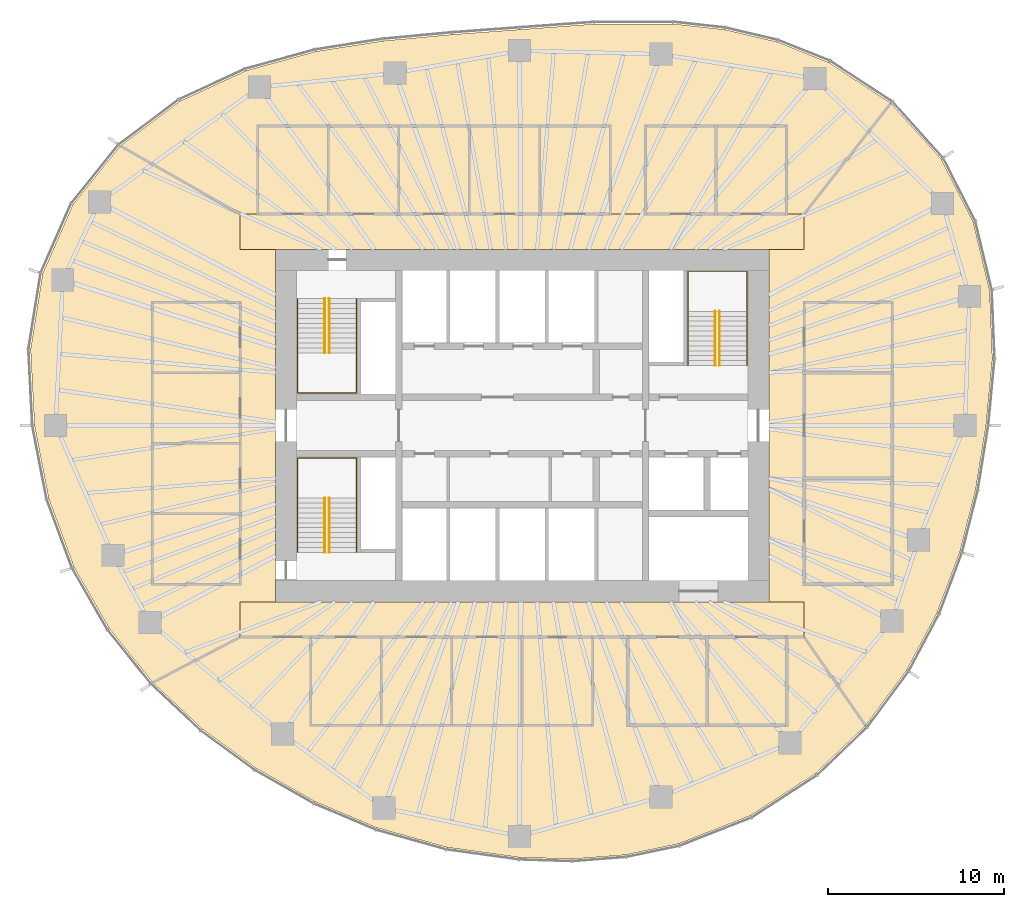
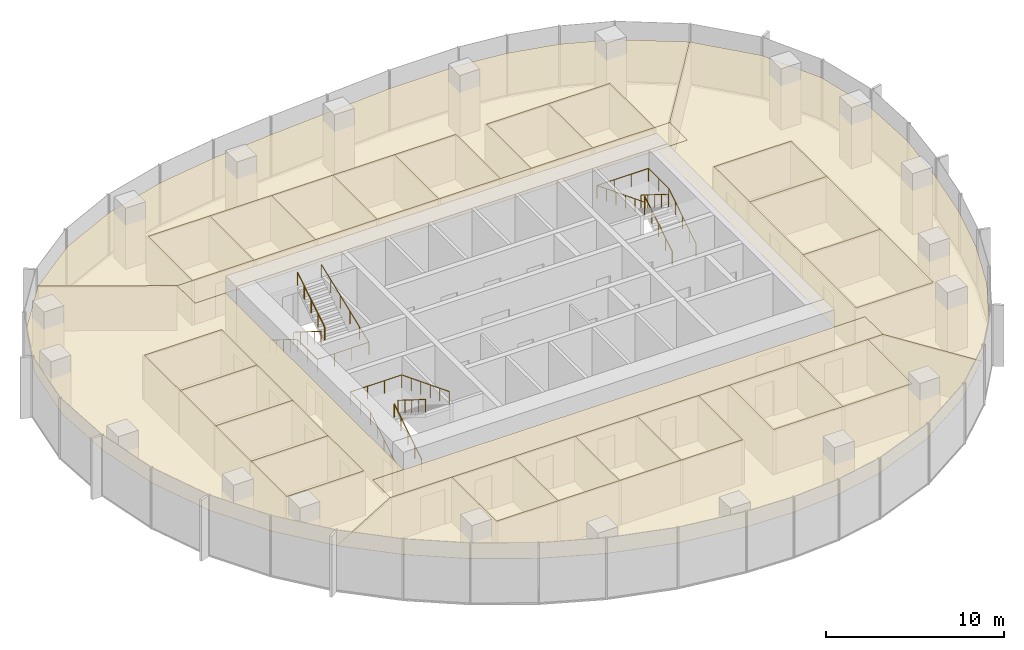
# One storey, part 12 of 12: 26 coverings, 9 railings.
"""IFC4 building model written with IfcOpenShell, lengths in metres."""

from ifc_helpers import new_model, si_unit, direction, frame, origin, origin_2d, place, context, subcontext, project, spatial, polyline, circle, outline, extrude, material, layer, layer_set, type_object, element, save


model = new_model("IFC4")

# Units and contexts
model_context = context("Model", 3, precision=1e-05, world=origin(), true_north=direction((0.0, 1.0)))
body_context = subcontext(model_context, "Body", "Model", "MODEL_VIEW")
ifc_project = project(units=[si_unit("LENGTHUNIT", "METRE"), si_unit("AREAUNIT", "SQUARE_METRE"), si_unit("VOLUMEUNIT", "CUBIC_METRE"), si_unit("PLANEANGLEUNIT", "RADIAN"), si_unit("MASSUNIT", "GRAM", prefix="KILO")], contexts=[model_context])

# Site, building, storey
site_placement = place(None, origin())
site = spatial("IfcSite", under=ifc_project, at=site_placement, CompositionType="ELEMENT")
building_placement = place(site_placement, origin())
building = spatial("IfcBuilding", under=site, at=building_placement, Name="Ghaith Harvest Tower", CompositionType="ELEMENT")
storey_placement = place(building_placement, frame((0.0, 0.0, 207.39990234375)))
storey = spatial("IfcBuildingStorey", under=building, at=storey_placement, Name="L45", CompositionType="ELEMENT", Elevation=207.39990234375)

# Coverings
ifc_material_1 = material(Name="Mineral fibre ceiling tile", Category="gypsum")
ifc_layer = layer(ifc_material_1, 0.02001953125)
ifc_layer_set = layer_set([ifc_layer], Name="CEILING C1")
covering_type = type_object("IfcCoveringType", Name="CEILING C1", PredefinedType="CEILING", material=ifc_layer_set)
covering_1_placement = place(storey_placement, frame((0.0, 0.0, 3.0)))
element("IfcCovering", 1, at=covering_1_placement, inside=storey, type_object=covering_type, Name="Ceiling L45-01", PredefinedType="CEILING", context=body_context, shape_type="SweptSolid", body=[
    extrude(outline(polyline([(-15.0, 12.0), (-11.0, 12.0), (-11.0, 17.0), (-15.0, 17.0), (-15.0, 12.0)])), origin(), (0.0, 0.0, 1.0), 0.02001953125),
])
covering_2_placement = place(storey_placement, frame((0.0, 0.0, 3.0)))
element("IfcCovering", 2, at=covering_2_placement, inside=storey, type_object=covering_type, Name="Ceiling L45-02", PredefinedType="CEILING", context=body_context, shape_type="SweptSolid", body=[
    extrude(outline(polyline([(-11.0, 12.0), (-7.0, 12.0), (-7.0, 17.0), (-11.0, 17.0), (-11.0, 12.0)])), origin(), (0.0, 0.0, 1.0), 0.02001953125),
])
covering_3_placement = place(storey_placement, frame((0.0, 0.0, 3.0)))
element("IfcCovering", 3, at=covering_3_placement, inside=storey, type_object=covering_type, Name="Ceiling L45-03", PredefinedType="CEILING", context=body_context, shape_type="SweptSolid", body=[
    extrude(outline(polyline([(-7.0, 12.0), (-3.0, 12.0), (-3.0, 17.0), (-7.0, 17.0), (-7.0, 12.0)])), origin(), (0.0, 0.0, 1.0), 0.02001953125),
])
covering_4_placement = place(storey_placement, frame((0.0, 0.0, 3.0)))
element("IfcCovering", 4, at=covering_4_placement, inside=storey, type_object=covering_type, Name="Ceiling L45-04", PredefinedType="CEILING", context=body_context, shape_type="SweptSolid", body=[
    extrude(outline(polyline([(-3.0, 12.0), (1.0, 12.0), (1.0, 17.0), (-3.0, 17.0), (-3.0, 12.0)])), origin(), (0.0, 0.0, 1.0), 0.02001953125),
])
covering_5_placement = place(storey_placement, frame((0.0, 0.0, 3.0)))
element("IfcCovering", 5, at=covering_5_placement, inside=storey, type_object=covering_type, Name="Ceiling L45-05", PredefinedType="CEILING", context=body_context, shape_type="SweptSolid", body=[
    extrude(outline(polyline([(1.0, 12.0), (5.0, 12.0), (5.0, 17.0), (1.0, 17.0), (1.0, 12.0)])), origin(), (0.0, 0.0, 1.0), 0.02001953125),
])
covering_6_placement = place(storey_placement, frame((0.0, 0.0, 3.0)))
element("IfcCovering", 6, at=covering_6_placement, inside=storey, type_object=covering_type, Name="Ceiling L45-06", PredefinedType="CEILING", context=body_context, shape_type="SweptSolid", body=[
    extrude(outline(polyline([(7.0, 12.0), (11.0, 12.0), (11.0, 17.0), (7.0, 17.0), (7.0, 12.0)])), origin(), (0.0, 0.0, 1.0), 0.02001953125),
])
covering_7_placement = place(storey_placement, frame((0.0, 0.0, 3.0)))
element("IfcCovering", 7, at=covering_7_placement, inside=storey, type_object=covering_type, Name="Ceiling L45-07", PredefinedType="CEILING", context=body_context, shape_type="SweptSolid", body=[
    extrude(outline(polyline([(11.0, 12.0), (15.0, 12.0), (15.0, 17.0), (11.0, 17.0), (11.0, 12.0)])), origin(), (0.0, 0.0, 1.0), 0.02001953125),
])
covering_8_placement = place(storey_placement, frame((0.0, 0.0, 3.0)))
element("IfcCovering", 8, at=covering_8_placement, inside=storey, type_object=covering_type, Name="Ceiling L45-08", PredefinedType="CEILING", context=body_context, shape_type="SweptSolid", body=[
    extrude(outline(polyline([(16.0, -9.0), (21.0, -9.0), (21.0, -3.0), (16.0, -3.0), (16.0, -9.0)])), origin(), (0.0, 0.0, 1.0), 0.02001953125),
])
covering_9_placement = place(storey_placement, frame((0.0, 0.0, 3.0)))
element("IfcCovering", 9, at=covering_9_placement, inside=storey, type_object=covering_type, Name="Ceiling L45-09", PredefinedType="CEILING", context=body_context, shape_type="SweptSolid", body=[
    extrude(outline(polyline([(16.0, -3.0), (21.0, -3.0), (21.0, 3.0), (16.0, 3.0), (16.0, -3.0)])), origin(), (0.0, 0.0, 1.0), 0.02001953125),
])
covering_10_placement = place(storey_placement, frame((0.0, 0.0, 3.0)))
element("IfcCovering", 10, at=covering_10_placement, inside=storey, type_object=covering_type, Name="Ceiling L45-10", PredefinedType="CEILING", context=body_context, shape_type="SweptSolid", body=[
    extrude(outline(polyline([(16.0, 3.0), (21.0, 3.0), (21.0, 7.0), (16.0, 7.0), (16.0, 3.0)])), origin(), (0.0, 0.0, 1.0), 0.02001953125),
])
covering_11_placement = place(storey_placement, frame((0.0, 0.0, 3.0)))
element("IfcCovering", 11, at=covering_11_placement, inside=storey, type_object=covering_type, Name="Ceiling L45-11", PredefinedType="CEILING", context=body_context, shape_type="SweptSolid", body=[
    extrude(outline(polyline([(-12.0, -17.0), (-8.0, -17.0), (-8.0, -12.0), (-12.0, -12.0), (-12.0, -17.0)])), origin(), (0.0, 0.0, 1.0), 0.02001953125),
])
covering_12_placement = place(storey_placement, frame((0.0, 0.0, 3.0)))
element("IfcCovering", 12, at=covering_12_placement, inside=storey, type_object=covering_type, Name="Ceiling L45-12", PredefinedType="CEILING", context=body_context, shape_type="SweptSolid", body=[
    extrude(outline(polyline([(-8.0, -17.0), (-4.0, -17.0), (-4.0, -12.0), (-8.0, -12.0), (-8.0, -17.0)])), origin(), (0.0, 0.0, 1.0), 0.02001953125),
])
covering_13_placement = place(storey_placement, frame((0.0, 0.0, 3.0)))
element("IfcCovering", 13, at=covering_13_placement, inside=storey, type_object=covering_type, Name="Ceiling L45-13", PredefinedType="CEILING", context=body_context, shape_type="SweptSolid", body=[
    extrude(outline(polyline([(-4.0, -17.0), (0.0, -17.0), (0.0, -12.0), (-4.0, -12.0), (-4.0, -17.0)])), origin(), (0.0, 0.0, 1.0), 0.02001953125),
])
covering_14_placement = place(storey_placement, frame((0.0, 0.0, 3.0)))
element("IfcCovering", 14, at=covering_14_placement, inside=storey, type_object=covering_type, Name="Ceiling L45-14", PredefinedType="CEILING", context=body_context, shape_type="SweptSolid", body=[
    extrude(outline(polyline([(0.0, -17.0), (4.0, -17.0), (4.0, -12.0), (0.0, -12.0), (0.0, -17.0)])), origin(), (0.0, 0.0, 1.0), 0.02001953125),
])
covering_15_placement = place(storey_placement, frame((0.0, 0.0, 3.0)))
element("IfcCovering", 15, at=covering_15_placement, inside=storey, type_object=covering_type, Name="Ceiling L45-15", PredefinedType="CEILING", context=body_context, shape_type="SweptSolid", body=[
    extrude(outline(polyline([(6.0, -17.0), (10.5, -17.0), (10.5, -12.0), (6.0, -12.0), (6.0, -17.0)])), origin(), (0.0, 0.0, 1.0), 0.02001953125),
])
covering_16_placement = place(storey_placement, frame((0.0, 0.0, 3.0)))
element("IfcCovering", 16, at=covering_16_placement, inside=storey, type_object=covering_type, Name="Ceiling L45-16", PredefinedType="CEILING", context=body_context, shape_type="SweptSolid", body=[
    extrude(outline(polyline([(10.5, -17.0), (15.0, -17.0), (15.0, -12.0), (10.5, -12.0), (10.5, -17.0)])), origin(), (0.0, 0.0, 1.0), 0.02001953125),
])
covering_17_placement = place(storey_placement, frame((0.0, 0.0, 3.0)))
element("IfcCovering", 17, at=covering_17_placement, inside=storey, type_object=covering_type, Name="Ceiling L45-17", PredefinedType="CEILING", context=body_context, shape_type="SweptSolid", body=[
    extrude(outline(polyline([(-21.0, -9.0), (-16.0, -9.0), (-16.0, -5.0), (-21.0, -5.0), (-21.0, -9.0)])), origin(), (0.0, 0.0, 1.0), 0.02001953125),
])
covering_18_placement = place(storey_placement, frame((0.0, 0.0, 3.0)))
element("IfcCovering", 18, at=covering_18_placement, inside=storey, type_object=covering_type, Name="Ceiling L45-18", PredefinedType="CEILING", context=body_context, shape_type="SweptSolid", body=[
    extrude(outline(polyline([(-21.0, -5.0), (-16.0, -5.0), (-16.0, -1.0), (-21.0, -1.0), (-21.0, -5.0)])), origin(), (0.0, 0.0, 1.0), 0.02001953125),
])
covering_19_placement = place(storey_placement, frame((0.0, 0.0, 3.0)))
element("IfcCovering", 19, at=covering_19_placement, inside=storey, type_object=covering_type, Name="Ceiling L45-19", PredefinedType="CEILING", context=body_context, shape_type="SweptSolid", body=[
    extrude(outline(polyline([(-21.0, -1.0), (-16.0, -1.0), (-16.0, 3.0), (-21.0, 3.0), (-21.0, -1.0)])), origin(), (0.0, 0.0, 1.0), 0.02001953125),
])
covering_20_placement = place(storey_placement, frame((0.0, 0.0, 3.0)))
element("IfcCovering", 20, at=covering_20_placement, inside=storey, type_object=covering_type, Name="Ceiling L45-20", PredefinedType="CEILING", context=body_context, shape_type="SweptSolid", body=[
    extrude(outline(polyline([(-21.0, 3.0), (-16.0, 3.0), (-16.0, 7.0), (-21.0, 7.0), (-21.0, 3.0)])), origin(), (0.0, 0.0, 1.0), 0.02001953125),
])
covering_21_placement = place(storey_placement, frame((0.0, 0.0, 3.0)))
element("IfcCovering", 21, at=covering_21_placement, inside=storey, type_object=covering_type, Name="Ceiling L45-C1", PredefinedType="CEILING", context=body_context, shape_type="SweptSolid", body=[
    extrude(outline(polyline([(16.0, 10.0), (-16.0, 10.0), (-16.0, 12.0), (16.0, 12.0), (16.0, 10.0)])), origin(), (0.0, 0.0, 1.0), 0.02001953125),
])
covering_22_placement = place(storey_placement, frame((0.0, 0.0, 3.0)))
element("IfcCovering", 22, at=covering_22_placement, inside=storey, type_object=covering_type, Name="Ceiling L45-C2", PredefinedType="CEILING", context=body_context, shape_type="SweptSolid", body=[
    extrude(outline(polyline([(-16.0, -10.0), (16.0, -10.0), (16.0, -12.0), (-16.0, -12.0), (-16.0, -10.0)])), origin(), (0.0, 0.0, 1.0), 0.02001953125),
])
covering_23_placement = place(storey_placement, frame((0.0, 0.0, 3.0)))
element("IfcCovering", 23, at=covering_23_placement, inside=storey, type_object=covering_type, Name="Ceiling L45-N1", PredefinedType="CEILING", context=body_context, shape_type="SweptSolid", body=[
    extrude(outline(polyline([(-19.408203125, 18.41650390625), (-15.6474609375, 20.147705078125), (-11.694580078125, 21.2314453125), (-7.8837890625, 21.827880859375), (-3.963134765625, 22.192138671875), (-0.15380859375, 22.470458984375), (4.03857421875, 22.78125), (8.522216796875, 22.796875), (11.47265625, 22.47265625), (14.460693359375, 21.771484375), (17.382080078125, 20.612548828125), (20.923095703125, 18.295166015625), (16.0, 12.0), (15.0, 12.0), (15.0, 17.0), (7.0, 17.0), (7.0, 12.0), (5.0, 12.0), (5.0, 17.0), (-15.0, 17.0), (-15.0, 12.0), (-16.0, 12.0), (-22.809814453125, 15.87109375), (-19.408203125, 18.41650390625)])), origin(), (0.0, 0.0, 1.0), 0.02001953125),
])
covering_24_placement = place(storey_placement, frame((0.0, 0.0, 3.0)))
element("IfcCovering", 24, at=covering_24_placement, inside=storey, type_object=covering_type, Name="Ceiling L45-E1", PredefinedType="CEILING", context=body_context, shape_type="SweptSolid", body=[
    extrude(outline(polyline([(23.77294921875, 15.12939453125), (25.597900390625, 11.55615234375), (26.531005859375, 7.668212890625), (26.685791015625, 3.779052734375), (26.324951171875, 0.0), (25.734375, -3.644287109375), (24.840576171875, -7.179443359375), (23.548828125, -10.631103515625), (21.821533203125, -13.887451171875), (19.48388671875, -17.036865234375), (16.0, -12.0), (16.0, -10.0), (14.0, -10.0), (14.0, 10.0), (16.0, 10.0), (16.0, 12.0), (20.923095703125, 18.295166015625), (23.77294921875, 15.12939453125)]), holes=[polyline([(16.0, 7.0), (16.0, -9.0), (21.0, -9.0), (21.0, 7.0), (16.0, 7.0)])]), origin(), (0.0, 0.0, 1.0), 0.02001953125),
])
covering_25_placement = place(storey_placement, frame((0.0, 0.0, 3.0)))
element("IfcCovering", 25, at=covering_25_placement, inside=storey, type_object=covering_type, Name="Ceiling L45-S1", PredefinedType="CEILING", context=body_context, shape_type="SweptSolid", body=[
    extrude(outline(polyline([(16.651611328125, -19.746337890625), (12.949462890625, -22.1435546875), (8.8740234375, -23.73779296875), (5.865234375, -24.3662109375), (2.833984375, -24.602294921875), (-0.167724609375, -24.505126953125), (-4.27490234375, -23.9375), (-8.2451171875, -22.82861328125), (-11.75732421875, -21.345703125), (-15.10400390625, -19.447998046875), (-18.15087890625, -17.223388671875), (-20.963134765625, -14.586181640625), (-16.0, -12.0), (-12.0, -12.0), (-12.0, -17.0), (4.0, -17.0), (4.0, -12.0), (6.0, -12.0), (6.0, -17.0), (15.0, -17.0), (15.0, -12.0), (16.0, -12.0), (19.48388671875, -17.036865234375), (16.651611328125, -19.746337890625)])), origin(), (0.0, 0.0, 1.0), 0.02001953125),
])
covering_26_placement = place(storey_placement, frame((0.0, 0.0, 3.0)))
element("IfcCovering", 26, at=covering_26_placement, inside=storey, type_object=covering_type, Name="Ceiling L45-W1", PredefinedType="CEILING", context=body_context, shape_type="SweptSolid", body=[
    extrude(outline(polyline([(-27.211181640625, 8.623779296875), (-25.491943359375, 12.547607421875), (-22.809814453125, 15.87109375), (-16.0, 12.0), (-16.0, 10.0), (-14.0, 10.0), (-14.0, -10.0), (-16.0, -10.0), (-16.0, -12.0), (-20.963134765625, -14.586181640625), (-23.425537109375, -11.530517578125), (-25.424072265625, -8.057373046875), (-26.86669921875, -4.155517578125), (-27.675048828125, 0.0), (-27.897216796875, 4.314697265625), (-27.211181640625, 8.623779296875)]), holes=[polyline([(-21.0, 7.0), (-21.0, -9.0), (-16.0, -9.0), (-16.0, 7.0), (-21.0, 7.0)])]), origin(), (0.0, 0.0, 1.0), 0.02001953125),
])

# Railings
ifc_material_2 = material(Name="Steel, black powder-coated", Category="steel")
railing_type = type_object("IfcRailingType", Name="HANDRAIL HR1", PredefinedType="HANDRAIL", material=ifc_material_2)
railing_1_placement = place(storey_placement, frame((-11.199951171875, 7.199951171875, 0.175048828125)))
element("IfcRailing", 27, at=railing_1_placement, inside=storey, type_object=railing_type, Name="Handrail HR1 stair ST1 L45 flight 1 inner", PredefinedType="HANDRAIL", context=body_context, shape_type="SweptSolid", body=[
    extrude(circle(Radius=0.02392578125, at=origin_2d()), frame((0.0, 0.0, 0.8759765625), z_axis=(0.0, -0.847979421464, 0.530029150871), x_axis=(1.0, 0.0, 0.0)), (0.0, 0.0, 1.0), 3.632080078125),
    extrude(circle(Radius=0.02099609375, at=origin_2d()), origin(), (0.0, 0.0, 1.0), 0.851806640625),
    extrude(circle(Radius=0.02099609375, at=origin_2d()), frame((0.0, -0.77001953125, 0.481201171875)), (0.0, 0.0, 1.0), 0.851806640625),
    extrude(circle(Radius=0.02099609375, at=origin_2d()), frame((0.0, -1.5400390625, 0.96240234375)), (0.0, 0.0, 1.0), 0.851806640625),
    extrude(circle(Radius=0.02099609375, at=origin_2d()), frame((0.0, -2.309814453125, 1.44384765625)), (0.0, 0.0, 1.0), 0.851806640625),
    extrude(circle(Radius=0.02099609375, at=origin_2d()), frame((0.0, -3.079833984375, 1.925048828125)), (0.0, 0.0, 1.0), 0.851806640625),
])
railing_2_placement = place(storey_placement, frame((-10.949951171875, 4.1201171875, 2.275146484375)))
element("IfcRailing", 28, at=railing_2_placement, inside=storey, type_object=railing_type, Name="Handrail HR1 stair ST1 L45 flight 2 inner", PredefinedType="HANDRAIL", context=body_context, shape_type="SweptSolid", body=[
    extrude(circle(Radius=0.02392578125, at=origin_2d()), frame((0.0, 0.0, 0.8759765625), z_axis=(0.0, 0.847979421464, 0.530029150871), x_axis=(-1.0, 0.0, 0.0)), (0.0, 0.0, 1.0), 3.632080078125),
    extrude(circle(Radius=0.02099609375, at=origin_2d()), origin(), (0.0, 0.0, 1.0), 0.851806640625),
    extrude(circle(Radius=0.02099609375, at=origin_2d()), frame((0.0, 0.77001953125, 0.481201171875)), (0.0, 0.0, 1.0), 0.851806640625),
    extrude(circle(Radius=0.02099609375, at=origin_2d()), frame((0.0, 1.5400390625, 0.96240234375)), (0.0, 0.0, 1.0), 0.851806640625),
    extrude(circle(Radius=0.02099609375, at=origin_2d()), frame((0.0, 2.309814453125, 1.44384765625)), (0.0, 0.0, 1.0), 0.851806640625),
    extrude(circle(Radius=0.02099609375, at=origin_2d()), frame((0.0, 3.079833984375, 1.925048828125)), (0.0, 0.0, 1.0), 0.851806640625),
])
railing_3_placement = place(storey_placement, frame((-12.75, 7.199951171875, 0.175048828125)))
element("IfcRailing", 29, at=railing_3_placement, inside=storey, type_object=railing_type, Name="Handrail HR1 stair ST1 L45 wall side", PredefinedType="HANDRAIL", context=body_context, shape_type="SweptSolid", body=[
    extrude(circle(Radius=0.02392578125, at=origin_2d()), frame((0.0, 0.0, 0.8759765625), z_axis=(0.0, -0.847979421464, 0.530029150871), x_axis=(1.0, 0.0, 0.0)), (0.0, 0.0, 1.0), 3.632080078125),
    extrude(circle(Radius=0.02392578125, at=origin_2d()), frame((0.0, -3.079833984375, 2.80078125), z_axis=(0.0, -1.0, 0.0), x_axis=(1.0, 0.0, 0.0)), (0.0, 0.0, 1.0), 2.27001953125),
    extrude(circle(Radius=0.02392578125, at=origin_2d()), frame((0.0, -5.349853515625, 2.80078125), z_axis=(1.0, 0.0, 0.0), x_axis=(0.0, 1.0, 0.0)), (0.0, 0.0, 1.0), 3.35009765625),
    extrude(circle(Radius=0.02392578125, at=origin_2d()), frame((3.35009765625, -5.349853515625, 2.80078125), z_axis=(0.0, 0.930848013298, 0.36540659017), x_axis=(-1.0, 0.0, 0.0)), (0.0, 0.0, 1.0), 5.747314453125),
    extrude(circle(Radius=0.02099609375, at=origin_2d()), origin(), (0.0, 0.0, 1.0), 0.851806640625),
    extrude(circle(Radius=0.02099609375, at=origin_2d()), frame((0.0, -0.77001953125, 0.481201171875)), (0.0, 0.0, 1.0), 0.851806640625),
    extrude(circle(Radius=0.02099609375, at=origin_2d()), frame((0.0, -1.5400390625, 0.96240234375)), (0.0, 0.0, 1.0), 0.851806640625),
    extrude(circle(Radius=0.02099609375, at=origin_2d()), frame((0.0, -2.309814453125, 1.44384765625)), (0.0, 0.0, 1.0), 0.851806640625),
    extrude(circle(Radius=0.02099609375, at=origin_2d()), frame((0.0, -3.079833984375, 1.925048828125)), (0.0, 0.0, 1.0), 0.851806640625),
    extrude(circle(Radius=0.02099609375, at=origin_2d()), frame((0.0, -4.21484375, 1.925048828125)), (0.0, 0.0, 1.0), 0.851806640625),
    extrude(circle(Radius=0.02099609375, at=origin_2d()), frame((0.0, -5.349853515625, 1.925048828125)), (0.0, 0.0, 1.0), 0.851806640625),
    extrude(circle(Radius=0.02099609375, at=origin_2d()), frame((1.11669921875, -5.349853515625, 1.925048828125)), (0.0, 0.0, 1.0), 0.851806640625),
    extrude(circle(Radius=0.02099609375, at=origin_2d()), frame((2.2333984375, -5.349853515625, 1.925048828125)), (0.0, 0.0, 1.0), 0.851806640625),
    extrude(circle(Radius=0.02099609375, at=origin_2d()), frame((3.35009765625, -5.349853515625, 1.925048828125)), (0.0, 0.0, 1.0), 0.851806640625),
    extrude(circle(Radius=0.02099609375, at=origin_2d()), frame((3.35009765625, -4.27978515625, 2.344970703125)), (0.0, 0.0, 1.0), 0.851806640625),
    extrude(circle(Radius=0.02099609375, at=origin_2d()), frame((3.35009765625, -3.2099609375, 2.76513671875)), (0.0, 0.0, 1.0), 0.851806640625),
    extrude(circle(Radius=0.02099609375, at=origin_2d()), frame((3.35009765625, -2.139892578125, 3.18505859375)), (0.0, 0.0, 1.0), 0.851806640625),
    extrude(circle(Radius=0.02099609375, at=origin_2d()), frame((3.35009765625, -1.070068359375, 3.605224609375)), (0.0, 0.0, 1.0), 0.851806640625),
    extrude(circle(Radius=0.02099609375, at=origin_2d()), frame((3.35009765625, 0.0, 4.025146484375)), (0.0, 0.0, 1.0), 0.851806640625),
])
railing_4_placement = place(storey_placement, frame((-11.199951171875, -7.199951171875, 0.175048828125)))
element("IfcRailing", 30, at=railing_4_placement, inside=storey, type_object=railing_type, Name="Handrail HR1 stair ST3 L45 flight 1 inner", PredefinedType="HANDRAIL", context=body_context, shape_type="SweptSolid", body=[
    extrude(circle(Radius=0.02392578125, at=origin_2d()), frame((0.0, 0.0, 0.8759765625), z_axis=(0.0, 0.847979421464, 0.530029150871), x_axis=(-1.0, 0.0, 0.0)), (0.0, 0.0, 1.0), 3.632080078125),
    extrude(circle(Radius=0.02099609375, at=origin_2d()), origin(), (0.0, 0.0, 1.0), 0.851806640625),
    extrude(circle(Radius=0.02099609375, at=origin_2d()), frame((0.0, 0.77001953125, 0.481201171875)), (0.0, 0.0, 1.0), 0.851806640625),
    extrude(circle(Radius=0.02099609375, at=origin_2d()), frame((0.0, 1.5400390625, 0.96240234375)), (0.0, 0.0, 1.0), 0.851806640625),
    extrude(circle(Radius=0.02099609375, at=origin_2d()), frame((0.0, 2.309814453125, 1.44384765625)), (0.0, 0.0, 1.0), 0.851806640625),
    extrude(circle(Radius=0.02099609375, at=origin_2d()), frame((0.0, 3.079833984375, 1.925048828125)), (0.0, 0.0, 1.0), 0.851806640625),
])
railing_5_placement = place(storey_placement, frame((-10.949951171875, -4.1201171875, 2.275146484375)))
element("IfcRailing", 31, at=railing_5_placement, inside=storey, type_object=railing_type, Name="Handrail HR1 stair ST3 L45 flight 2 inner", PredefinedType="HANDRAIL", context=body_context, shape_type="SweptSolid", body=[
    extrude(circle(Radius=0.02392578125, at=origin_2d()), frame((0.0, 0.0, 0.8759765625), z_axis=(0.0, -0.847979421464, 0.530029150871), x_axis=(1.0, 0.0, 0.0)), (0.0, 0.0, 1.0), 3.632080078125),
    extrude(circle(Radius=0.02099609375, at=origin_2d()), origin(), (0.0, 0.0, 1.0), 0.851806640625),
    extrude(circle(Radius=0.02099609375, at=origin_2d()), frame((0.0, -0.77001953125, 0.481201171875)), (0.0, 0.0, 1.0), 0.851806640625),
    extrude(circle(Radius=0.02099609375, at=origin_2d()), frame((0.0, -1.5400390625, 0.96240234375)), (0.0, 0.0, 1.0), 0.851806640625),
    extrude(circle(Radius=0.02099609375, at=origin_2d()), frame((0.0, -2.309814453125, 1.44384765625)), (0.0, 0.0, 1.0), 0.851806640625),
    extrude(circle(Radius=0.02099609375, at=origin_2d()), frame((0.0, -3.079833984375, 1.925048828125)), (0.0, 0.0, 1.0), 0.851806640625),
])
railing_6_placement = place(storey_placement, frame((-12.75, -7.199951171875, 0.175048828125)))
element("IfcRailing", 32, at=railing_6_placement, inside=storey, type_object=railing_type, Name="Handrail HR1 stair ST3 L45 wall side", PredefinedType="HANDRAIL", context=body_context, shape_type="SweptSolid", body=[
    extrude(circle(Radius=0.02392578125, at=origin_2d()), frame((0.0, 0.0, 0.8759765625), z_axis=(0.0, 0.847979421464, 0.530029150871), x_axis=(-1.0, 0.0, 0.0)), (0.0, 0.0, 1.0), 3.632080078125),
    extrude(circle(Radius=0.02392578125, at=origin_2d()), frame((0.0, 3.079833984375, 2.80078125), z_axis=(0.0, 1.0, 0.0), x_axis=(-1.0, 0.0, 0.0)), (0.0, 0.0, 1.0), 2.27001953125),
    extrude(circle(Radius=0.02392578125, at=origin_2d()), frame((0.0, 5.349853515625, 2.80078125), z_axis=(1.0, 0.0, 0.0), x_axis=(0.0, 1.0, 0.0)), (0.0, 0.0, 1.0), 3.35009765625),
    extrude(circle(Radius=0.02392578125, at=origin_2d()), frame((3.35009765625, 5.349853515625, 2.80078125), z_axis=(0.0, -0.930848013298, 0.36540659017), x_axis=(1.0, 0.0, 0.0)), (0.0, 0.0, 1.0), 5.747314453125),
    extrude(circle(Radius=0.02099609375, at=origin_2d()), origin(), (0.0, 0.0, 1.0), 0.851806640625),
    extrude(circle(Radius=0.02099609375, at=origin_2d()), frame((0.0, 0.77001953125, 0.481201171875)), (0.0, 0.0, 1.0), 0.851806640625),
    extrude(circle(Radius=0.02099609375, at=origin_2d()), frame((0.0, 1.5400390625, 0.96240234375)), (0.0, 0.0, 1.0), 0.851806640625),
    extrude(circle(Radius=0.02099609375, at=origin_2d()), frame((0.0, 2.309814453125, 1.44384765625)), (0.0, 0.0, 1.0), 0.851806640625),
    extrude(circle(Radius=0.02099609375, at=origin_2d()), frame((0.0, 3.079833984375, 1.925048828125)), (0.0, 0.0, 1.0), 0.851806640625),
    extrude(circle(Radius=0.02099609375, at=origin_2d()), frame((0.0, 4.21484375, 1.925048828125)), (0.0, 0.0, 1.0), 0.851806640625),
    extrude(circle(Radius=0.02099609375, at=origin_2d()), frame((0.0, 5.349853515625, 1.925048828125)), (0.0, 0.0, 1.0), 0.851806640625),
    extrude(circle(Radius=0.02099609375, at=origin_2d()), frame((1.11669921875, 5.349853515625, 1.925048828125)), (0.0, 0.0, 1.0), 0.851806640625),
    extrude(circle(Radius=0.02099609375, at=origin_2d()), frame((2.2333984375, 5.349853515625, 1.925048828125)), (0.0, 0.0, 1.0), 0.851806640625),
    extrude(circle(Radius=0.02099609375, at=origin_2d()), frame((3.35009765625, 5.349853515625, 1.925048828125)), (0.0, 0.0, 1.0), 0.851806640625),
    extrude(circle(Radius=0.02099609375, at=origin_2d()), frame((3.35009765625, 4.27978515625, 2.344970703125)), (0.0, 0.0, 1.0), 0.851806640625),
    extrude(circle(Radius=0.02099609375, at=origin_2d()), frame((3.35009765625, 3.2099609375, 2.76513671875)), (0.0, 0.0, 1.0), 0.851806640625),
    extrude(circle(Radius=0.02099609375, at=origin_2d()), frame((3.35009765625, 2.139892578125, 3.18505859375)), (0.0, 0.0, 1.0), 0.851806640625),
    extrude(circle(Radius=0.02099609375, at=origin_2d()), frame((3.35009765625, 1.070068359375, 3.605224609375)), (0.0, 0.0, 1.0), 0.851806640625),
    extrude(circle(Radius=0.02099609375, at=origin_2d()), frame((3.35009765625, 0.0, 4.025146484375)), (0.0, 0.0, 1.0), 0.851806640625),
])
railing_7_placement = place(storey_placement, frame((11.199951171875, 3.39990234375, 0.175048828125)))
element("IfcRailing", 33, at=railing_7_placement, inside=storey, type_object=railing_type, Name="Handrail HR1 stair ST2 L45 flight 1 inner", PredefinedType="HANDRAIL", context=body_context, shape_type="SweptSolid", body=[
    extrude(circle(Radius=0.02392578125, at=origin_2d()), frame((0.0, 0.0, 0.8759765625), z_axis=(0.0, 0.847998304005, 0.529998940003), x_axis=(-1.0, 0.0, 0.0)), (0.0, 0.0, 1.0), 3.632080078125),
    extrude(circle(Radius=0.02099609375, at=origin_2d()), origin(), (0.0, 0.0, 1.0), 0.851806640625),
    extrude(circle(Radius=0.02099609375, at=origin_2d()), frame((0.0, 0.77001953125, 0.481201171875)), (0.0, 0.0, 1.0), 0.851806640625),
    extrude(circle(Radius=0.02099609375, at=origin_2d()), frame((0.0, 1.5400390625, 0.96240234375)), (0.0, 0.0, 1.0), 0.851806640625),
    extrude(circle(Radius=0.02099609375, at=origin_2d()), frame((0.0, 2.31005859375, 1.44384765625)), (0.0, 0.0, 1.0), 0.851806640625),
    extrude(circle(Radius=0.02099609375, at=origin_2d()), frame((0.0, 3.080078125, 1.925048828125)), (0.0, 0.0, 1.0), 0.851806640625),
])
railing_8_placement = place(storey_placement, frame((10.949951171875, 6.47998046875, 2.275146484375)))
element("IfcRailing", 34, at=railing_8_placement, inside=storey, type_object=railing_type, Name="Handrail HR1 stair ST2 L45 flight 2 inner", PredefinedType="HANDRAIL", context=body_context, shape_type="SweptSolid", body=[
    extrude(circle(Radius=0.02392578125, at=origin_2d()), frame((0.0, 0.0, 0.8759765625), z_axis=(0.0, -0.847998304005, 0.529998940003), x_axis=(1.0, 0.0, 0.0)), (0.0, 0.0, 1.0), 3.632080078125),
    extrude(circle(Radius=0.02099609375, at=origin_2d()), origin(), (0.0, 0.0, 1.0), 0.851806640625),
    extrude(circle(Radius=0.02099609375, at=origin_2d()), frame((0.0, -0.77001953125, 0.481201171875)), (0.0, 0.0, 1.0), 0.851806640625),
    extrude(circle(Radius=0.02099609375, at=origin_2d()), frame((0.0, -1.5400390625, 0.96240234375)), (0.0, 0.0, 1.0), 0.851806640625),
    extrude(circle(Radius=0.02099609375, at=origin_2d()), frame((0.0, -2.31005859375, 1.44384765625)), (0.0, 0.0, 1.0), 0.851806640625),
    extrude(circle(Radius=0.02099609375, at=origin_2d()), frame((0.0, -3.080078125, 1.925048828125)), (0.0, 0.0, 1.0), 0.851806640625),
])
railing_9_placement = place(storey_placement, frame((12.75, 3.39990234375, 0.175048828125)))
element("IfcRailing", 35, at=railing_9_placement, inside=storey, type_object=railing_type, Name="Handrail HR1 stair ST2 L45 wall side", PredefinedType="HANDRAIL", context=body_context, shape_type="SweptSolid", body=[
    extrude(circle(Radius=0.02392578125, at=origin_2d()), frame((0.0, 0.0, 0.8759765625), z_axis=(0.0, 0.847998304005, 0.529998940003), x_axis=(-1.0, 0.0, 0.0)), (0.0, 0.0, 1.0), 3.632080078125),
    extrude(circle(Radius=0.02392578125, at=origin_2d()), frame((0.0, 3.080078125, 2.80078125), z_axis=(0.0, 1.0, 0.0), x_axis=(-1.0, 0.0, 0.0)), (0.0, 0.0, 1.0), 2.27001953125),
    extrude(circle(Radius=0.02392578125, at=origin_2d()), frame((0.0, 5.35009765625, 2.80078125), z_axis=(-1.0, 0.0, 0.0), x_axis=(0.0, -1.0, 0.0)), (0.0, 0.0, 1.0), 3.35009765625),
    extrude(circle(Radius=0.02392578125, at=origin_2d()), frame((-3.35009765625, 5.35009765625, 2.80078125), z_axis=(0.0, -0.930853684876, 0.365392141887), x_axis=(1.0, 0.0, 0.0)), (0.0, 0.0, 1.0), 5.74755859375),
    extrude(circle(Radius=0.02099609375, at=origin_2d()), origin(), (0.0, 0.0, 1.0), 0.851806640625),
    extrude(circle(Radius=0.02099609375, at=origin_2d()), frame((0.0, 0.77001953125, 0.481201171875)), (0.0, 0.0, 1.0), 0.851806640625),
    extrude(circle(Radius=0.02099609375, at=origin_2d()), frame((0.0, 1.5400390625, 0.96240234375)), (0.0, 0.0, 1.0), 0.851806640625),
    extrude(circle(Radius=0.02099609375, at=origin_2d()), frame((0.0, 2.31005859375, 1.44384765625)), (0.0, 0.0, 1.0), 0.851806640625),
    extrude(circle(Radius=0.02099609375, at=origin_2d()), frame((0.0, 3.080078125, 1.925048828125)), (0.0, 0.0, 1.0), 0.851806640625),
    extrude(circle(Radius=0.02099609375, at=origin_2d()), frame((0.0, 4.215087890625, 1.925048828125)), (0.0, 0.0, 1.0), 0.851806640625),
    extrude(circle(Radius=0.02099609375, at=origin_2d()), frame((0.0, 5.35009765625, 1.925048828125)), (0.0, 0.0, 1.0), 0.851806640625),
    extrude(circle(Radius=0.02099609375, at=origin_2d()), frame((-1.11669921875, 5.35009765625, 1.925048828125)), (0.0, 0.0, 1.0), 0.851806640625),
    extrude(circle(Radius=0.02099609375, at=origin_2d()), frame((-2.2333984375, 5.35009765625, 1.925048828125)), (0.0, 0.0, 1.0), 0.851806640625),
    extrude(circle(Radius=0.02099609375, at=origin_2d()), frame((-3.35009765625, 5.35009765625, 1.925048828125)), (0.0, 0.0, 1.0), 0.851806640625),
    extrude(circle(Radius=0.02099609375, at=origin_2d()), frame((-3.35009765625, 4.280029296875, 2.344970703125)), (0.0, 0.0, 1.0), 0.851806640625),
    extrude(circle(Radius=0.02099609375, at=origin_2d()), frame((-3.35009765625, 3.2099609375, 2.76513671875)), (0.0, 0.0, 1.0), 0.851806640625),
    extrude(circle(Radius=0.02099609375, at=origin_2d()), frame((-3.35009765625, 2.14013671875, 3.18505859375)), (0.0, 0.0, 1.0), 0.851806640625),
    extrude(circle(Radius=0.02099609375, at=origin_2d()), frame((-3.35009765625, 1.070068359375, 3.605224609375)), (0.0, 0.0, 1.0), 0.851806640625),
    extrude(circle(Radius=0.02099609375, at=origin_2d()), frame((-3.35009765625, 0.0, 4.025146484375)), (0.0, 0.0, 1.0), 0.851806640625),
])

save(model, "model.ifc")
